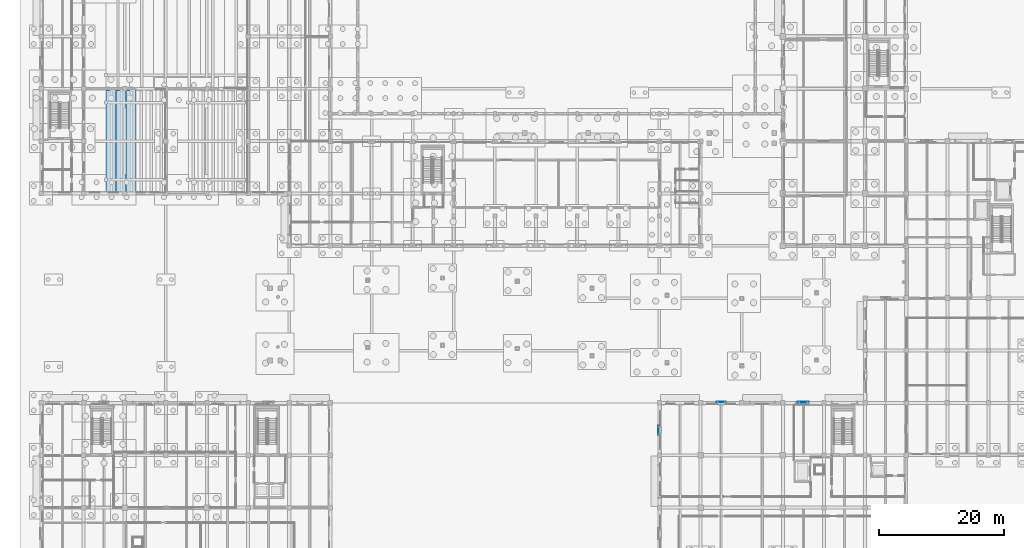
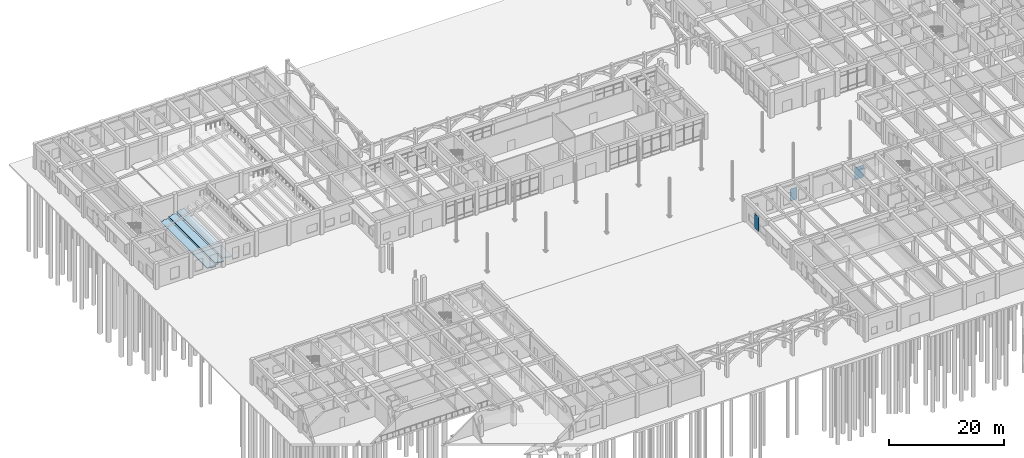
# One storey, part 42 of 82: 3 plates, 3 slabs.
"""IFC4 building model written with IfcOpenShell, lengths in metres."""

from ifc_helpers import new_model, si_unit, direction, frame, origin, origin_2d, place, context, subcontext, project, spatial, polyline, rectangle, outline, extrude, material, layer, layer_set, type_object, element, save


model = new_model("IFC4")

# Units and contexts
model_context = context("Model", 3, precision=1e-05, world=origin(), true_north=direction((0.0, 1.0)))
body_context = subcontext(model_context, "Body", "Model", "MODEL_VIEW")
ifc_project = project(units=[si_unit("LENGTHUNIT", "METRE"), si_unit("AREAUNIT", "SQUARE_METRE"), si_unit("VOLUMEUNIT", "CUBIC_METRE"), si_unit("PLANEANGLEUNIT", "RADIAN"), si_unit("MASSUNIT", "GRAM", prefix="KILO")], contexts=[model_context])

# Site, building, storey
site_placement = place(None, origin())
site = spatial("IfcSite", under=ifc_project, at=site_placement, CompositionType="ELEMENT")
building_placement = place(site_placement, origin())
building = spatial("IfcBuilding", under=site, at=building_placement, Name="Kolvaren Faculty of Natural Sciences", CompositionType="ELEMENT")
storey_placement = place(building_placement, origin())
storey = spatial("IfcBuildingStorey", under=building, at=storey_placement, Name="L00", CompositionType="ELEMENT", Elevation=0.0)

# Plates
ifc_material_1 = material(Name="Extruded architectural terracotta screen", Category="masonry")
ifc_layer_1 = layer(ifc_material_1, 0.06494140625)
ifc_layer_set_1 = layer_set([ifc_layer_1], Name="Extruded architectural terracotta screen")
plate_type_1 = type_object("IfcPlateType", Name="EnvelopePlate_JL01", PredefinedType="USERDEFINED", material=ifc_layer_set_1)
plate_1_placement = place(storey_placement, frame((109.10009765625, 42.340087890625, 0.849853515625), z_axis=(0.0, 0.0, 1.0), x_axis=(1.0, 0.0, 0.0)))
element("IfcPlate", 1, at=plate_1_placement, inside=storey, type_object=plate_type_1, Name="L00 perforated terracotta jali sun screen JL-01", ObjectType="SCREEN", PredefinedType="USERDEFINED", context=body_context, shape_type="SweptSolid", body=[
    extrude(rectangle(XDim=1.449951171875, YDim=0.06494140625, at=origin_2d()), origin(), (0.0, 0.0, 1.0), 2.60009765625),
])
ifc_layer_2 = layer(ifc_material_1, 0.06494140625)
ifc_layer_set_2 = layer_set([ifc_layer_2], Name="Extruded architectural terracotta screen")
plate_type_2 = type_object("IfcPlateType", Name="EnvelopePlate_JL02", PredefinedType="USERDEFINED", material=ifc_layer_set_2)
plate_2_placement = place(storey_placement, frame((122.300048828125, 42.340087890625, 0.849853515625), z_axis=(0.0, 0.0, 1.0), x_axis=(1.0, 0.0, 0.0)))
element("IfcPlate", 2, at=plate_2_placement, inside=storey, type_object=plate_type_2, Name="L00 perforated terracotta jali sun screen JL-02", ObjectType="SCREEN", PredefinedType="USERDEFINED", context=body_context, shape_type="SweptSolid", body=[
    extrude(rectangle(XDim=1.75, YDim=0.06494140625, at=origin_2d()), origin(), (0.0, 0.0, 1.0), 2.60009765625),
])
ifc_layer_3 = layer(ifc_material_1, 0.06494140625)
ifc_layer_set_3 = layer_set([ifc_layer_3], Name="Extruded architectural terracotta screen")
plate_type_3 = type_object("IfcPlateType", Name="EnvelopePlate_JL03", PredefinedType="USERDEFINED", material=ifc_layer_set_3)
plate_3_placement = place(storey_placement, frame((99.06005859375, 37.830078125, 0.849853515625), z_axis=(0.0, 0.0, 1.0), x_axis=(0.0, 1.0, 0.0)))
element("IfcPlate", 3, at=plate_3_placement, inside=storey, type_object=plate_type_3, Name="L00 perforated terracotta jali sun screen JL-03", ObjectType="SCREEN", PredefinedType="USERDEFINED", context=body_context, shape_type="SweptSolid", body=[
    extrude(rectangle(XDim=1.449951171875, YDim=0.06494140625, at=origin_2d()), origin(), (0.0, 0.0, 1.0), 3.10009765625),
])

# Slabs
ifc_material_2 = material(Name="Concrete C35/45", Category="concrete")
ifc_layer_4 = layer(ifc_material_2, 0.179931640625)
ifc_layer_set_4 = layer_set([ifc_layer_4], Name="Concrete C35/45")
slab_type_1 = type_object("IfcSlabType", Name="SeatingTierSlab_180", PredefinedType="USERDEFINED", material=ifc_layer_set_4)
slab_1_placement = place(storey_placement, frame((0.0, 0.0, 0.340087890625)))
element("IfcSlab", 4, at=slab_1_placement, inside=storey, type_object=slab_type_1, Name="Stand LT-2 seating tier row 1", ObjectType="SEATING TIER", PredefinedType="USERDEFINED", context=body_context, shape_type="SweptSolid", body=[
    extrude(outline(polyline([(10.39990234375, 76.050048828125), (11.0, 76.050048828125), (11.0, 75.85009765625), (12.050048828125, 75.85009765625), (12.050048828125, 92.550048828125), (11.0, 92.550048828125), (11.0, 92.35009765625), (10.39990234375, 92.35009765625), (10.39990234375, 76.050048828125)])), origin(), (0.0, 0.0, 1.0), 0.179931640625),
])
slab_2_placement = place(storey_placement, frame((0.0, 0.0, 1.3798828125)))
element("IfcSlab", 5, at=slab_2_placement, inside=storey, type_object=slab_type_1, Name="Stand LT-2 seating tier row 3", ObjectType="SEATING TIER", PredefinedType="USERDEFINED", context=body_context, shape_type="SweptSolid", body=[
    extrude(outline(polyline([(13.60009765625, 76.050048828125), (14.199951171875, 76.050048828125), (14.199951171875, 75.85009765625), (15.25, 75.85009765625), (15.25, 92.550048828125), (14.199951171875, 92.550048828125), (14.199951171875, 92.35009765625), (13.60009765625, 92.35009765625), (13.60009765625, 76.050048828125)])), origin(), (0.0, 0.0, 1.0), 0.18017578125),
])
ifc_layer_5 = layer(ifc_material_2, 0.18994140625)
ifc_layer_set_5 = layer_set([ifc_layer_5], Name="Concrete C35/45")
slab_type_2 = type_object("IfcSlabType", Name="SeatingTierSlab_190", PredefinedType="USERDEFINED", material=ifc_layer_set_5)
slab_3_placement = place(storey_placement, frame((0.0, 0.0, 0.85009765625)))
element("IfcSlab", 6, at=slab_3_placement, inside=storey, type_object=slab_type_2, Name="Stand LT-2 seating tier row 2", ObjectType="SEATING TIER", PredefinedType="USERDEFINED", context=body_context, shape_type="SweptSolid", body=[
    extrude(outline(polyline([(12.0, 76.050048828125), (12.60009765625, 76.050048828125), (12.60009765625, 75.85009765625), (13.64990234375, 75.85009765625), (13.64990234375, 92.550048828125), (12.60009765625, 92.550048828125), (12.60009765625, 92.35009765625), (12.0, 92.35009765625), (12.0, 76.050048828125)])), origin(), (0.0, 0.0, 1.0), 0.18994140625),
])

save(model, "model.ifc")
